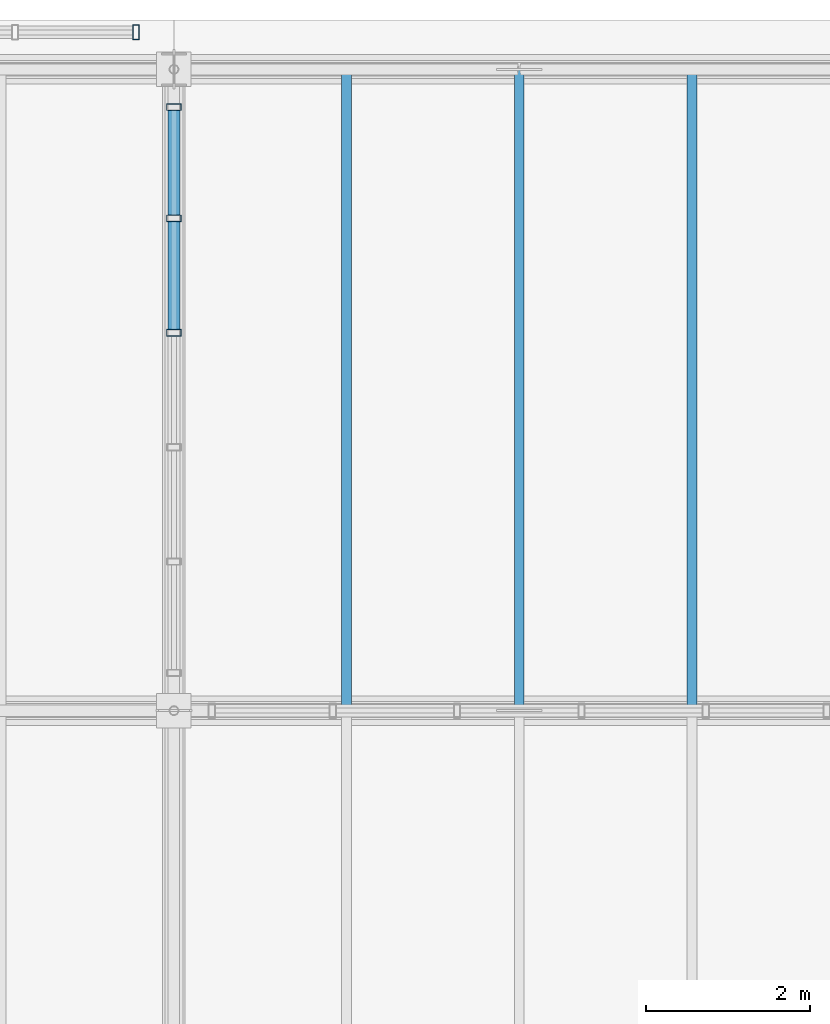
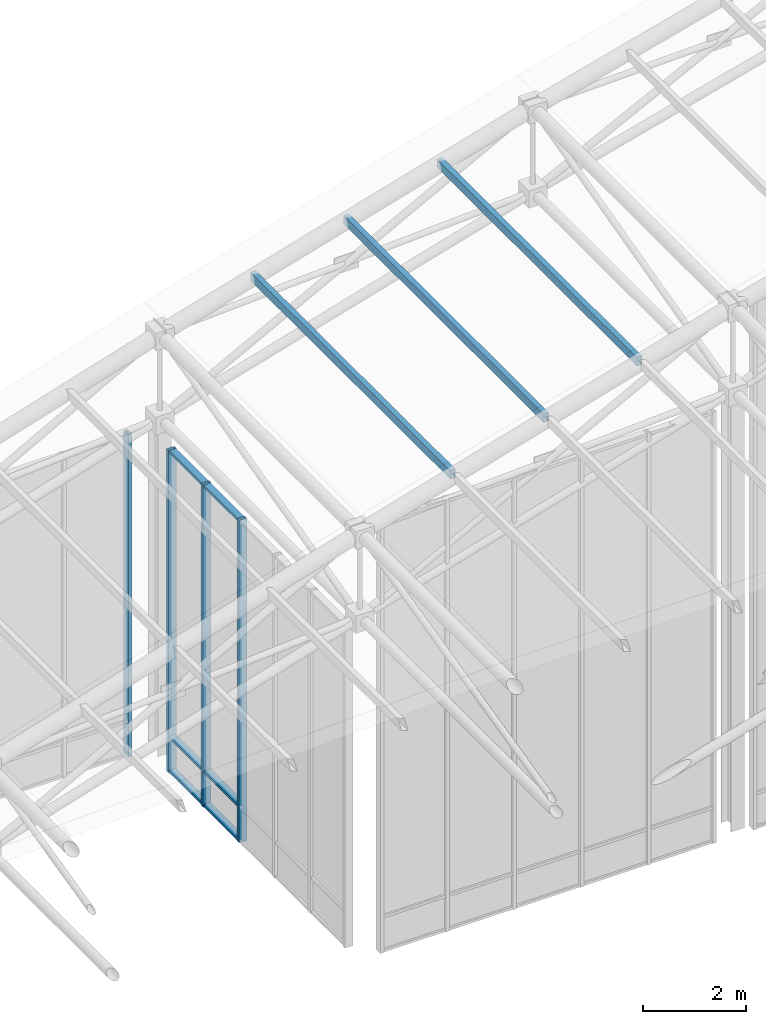
# One storey, part 69 of 144: 13 members, 2 elements without a shape of their own.
"""IFC4 building model written with IfcOpenShell, lengths in metres."""

from ifc_helpers import new_model, si_unit, direction, frame, origin, origin_2d, place, context, subcontext, project, spatial, hollow_rectangle, extrude, material, layer, layer_set, material_profile, profile_set, type_object, element, aggregate, save


model = new_model("IFC4")

# Units and contexts
model_context = context("Model", 3, precision=1e-05, world=origin(), true_north=direction((0.0, 1.0)))
body_context = subcontext(model_context, "Body", "Model", "MODEL_VIEW")
ifc_project = project(units=[si_unit("LENGTHUNIT", "METRE"), si_unit("AREAUNIT", "SQUARE_METRE"), si_unit("VOLUMEUNIT", "CUBIC_METRE"), si_unit("PLANEANGLEUNIT", "RADIAN"), si_unit("MASSUNIT", "GRAM", prefix="KILO")], contexts=[model_context])

# Site, building, storey
site_placement = place(None, origin())
site = spatial("IfcSite", under=ifc_project, at=site_placement, CompositionType="ELEMENT")
building_placement = place(site_placement, origin())
building = spatial("IfcBuilding", under=site, at=building_placement, Name="Zayran Congress Hotel", CompositionType="ELEMENT")
storey_placement = place(building_placement, frame((0.0, 0.0, 19.199951171875)))
storey = spatial("IfcBuildingStorey", under=building, at=storey_placement, Name="L04", CompositionType="ELEMENT", Elevation=19.199951171875)

# Members
ifc_material_1 = material(Name="Steel S355", Category="steel")
ifc_material_profile_1 = material_profile(ifc_material_1, hollow_rectangle(XDim=0.1201171875, YDim=0.199951171875, WallThickness=0.008056640625, at=origin_2d()), Name="RHS 200x120x8")
ifc_profile_set_1 = profile_set([ifc_material_profile_1], Name="Steel S355")
member_type_1 = type_object("IfcMemberType", Name="TP-PR-01", PredefinedType="PURLIN", material=ifc_profile_set_1)
for number, where, z_axis, x_axis, name in (
    (1, (35.699951171875, 109.60009765625, 10.556640625), (0.0, 1.0, 0.0), (-1.0, 0.0, 0.0), "MEM-PR-V1-0060"),
    (2, (37.800048828125, 109.60009765625, 11.1689453125), (0.0, 1.0, 0.0), (-1.0, 0.0, 0.0), "MEM-PR-V1-0066"),
    (3, (39.89990234375, 109.60009765625, 11.781494140625), (0.0, 1.0, 0.0), (-1.0, 0.0, 0.0), "MEM-PR-V1-0072"),
):
    element("IfcMember", number, at=place(storey_placement, frame(where, z_axis=z_axis, x_axis=x_axis)), inside=storey, type_object=member_type_1, Name=name, PredefinedType="PURLIN", context=body_context, shape_type="SweptSolid", body=[
        extrude(hollow_rectangle(XDim=0.1201171875, YDim=0.199951171875, WallThickness=0.008056640625, at=origin_2d()), origin(), (0.0, 0.0, 1.0), 7.7998046875),
    ])

# Curtain wall, member
ifc_material_2 = material(Name="Anodised aluminium and low-E insulated glass", Category="aluminium")
ifc_layer_1 = layer(ifc_material_2, 0.179931640625)
ifc_layer_set_1 = layer_set([ifc_layer_1], Name="Anodised aluminium and low-E insulated glass")
curtain_wall_type_1 = type_object("IfcCurtainWallType", Name="CW-V1CL-L04-CW-23-7560-7670", PredefinedType="USERDEFINED", material=ifc_layer_set_1)
curtain_wall_1_placement = place(storey_placement, origin())
curtain_wall_1 = element("IfcCurtainWall", 4, at=curtain_wall_1_placement, inside=storey, type_object=curtain_wall_type_1, Name="CW-V1CLN-2", ObjectType="CURTAIN WALL", PredefinedType="USERDEFINED")
ifc_material_3 = material(Name="Anodised aluminium framing", Category="aluminium")
ifc_material_profile_2 = material_profile(ifc_material_3, hollow_rectangle(XDim=0.080078125, YDim=0.179931640625, WallThickness=0.0048828125, at=origin_2d()), Name="RHS 180x80x5")
ifc_profile_set_2 = profile_set([ifc_material_profile_2], Name="Anodised aluminium framing")
member_type_2 = type_object("IfcMemberType", Name="TP-CWM-01", PredefinedType="MULLION", material=ifc_profile_set_2)
member_1_placement = place(storey_placement, frame((33.139892578125, 117.85009765625, -0.219970703125), z_axis=(0.0, 0.0, 1.0), x_axis=(1.0, 0.0, 0.0)))
member_1 = element("IfcMember", 5, at=member_1_placement, type_object=member_type_2, Name="CW-V1CLN-2-M00", PredefinedType="MULLION", context=body_context, shape_type="SweptSolid", body=[
    extrude(hollow_rectangle(XDim=0.080078125, YDim=0.179931640625, WallThickness=0.0048828125, at=origin_2d()), origin(), (0.0, 0.0, 1.0), 7.669921875),
])
aggregate(curtain_wall_1, [member_1])

# Curtain wall, members
ifc_layer_2 = layer(ifc_material_2, 0.179931640625)
ifc_layer_set_2 = layer_set([ifc_layer_2], Name="Anodised aluminium and low-E insulated glass")
curtain_wall_type_2 = type_object("IfcCurtainWallType", Name="CW-V1CL-L04-CW-24-6960-7670", PredefinedType="USERDEFINED", material=ifc_layer_set_2)
curtain_wall_2_placement = place(storey_placement, origin())
curtain_wall_2 = element("IfcCurtainWall", 6, at=curtain_wall_2_placement, inside=storey, type_object=curtain_wall_type_2, Name="CW-V1CLNW", ObjectType="CURTAIN WALL", PredefinedType="USERDEFINED")
member_2_placement = place(storey_placement, frame((33.60009765625, 114.196044921875, -0.219970703125), z_axis=(0.0, 0.0, 1.0), x_axis=(0.0, 1.0, 0.0)))
member_2 = element("IfcMember", 7, at=member_2_placement, type_object=member_type_2, Name="CW-V1CLNW-M03", PredefinedType="MULLION", context=body_context, shape_type="SweptSolid", body=[
    extrude(hollow_rectangle(XDim=0.080078125, YDim=0.179931640625, WallThickness=0.0048828125, at=origin_2d()), origin(), (0.0, 0.0, 1.0), 7.669921875),
])
member_3_placement = place(storey_placement, frame((33.60009765625, 115.587890625, -0.219970703125), z_axis=(0.0, 0.0, 1.0), x_axis=(0.0, 1.0, 0.0)))
member_3 = element("IfcMember", 8, at=member_3_placement, type_object=member_type_2, Name="CW-V1CLNW-M04", PredefinedType="MULLION", context=body_context, shape_type="SweptSolid", body=[
    extrude(hollow_rectangle(XDim=0.080078125, YDim=0.179931640625, WallThickness=0.0048828125, at=origin_2d()), origin(), (0.0, 0.0, 1.0), 7.669921875),
])
member_4_placement = place(storey_placement, frame((33.60009765625, 116.93994140625, -0.219970703125), z_axis=(0.0, 0.0, 1.0), x_axis=(0.0, 1.0, 0.0)))
member_4 = element("IfcMember", 9, at=member_4_placement, type_object=member_type_2, Name="CW-V1CLNW-M05", PredefinedType="MULLION", context=body_context, shape_type="SweptSolid", body=[
    extrude(hollow_rectangle(XDim=0.080078125, YDim=0.179931640625, WallThickness=0.0048828125, at=origin_2d()), origin(), (0.0, 0.0, 1.0), 7.669921875),
])
ifc_material_profile_3 = material_profile(ifc_material_3, hollow_rectangle(XDim=0.06005859375, YDim=0.14990234375, WallThickness=0.00390625, at=origin_2d()), Name="RHS 150x60x4")
ifc_profile_set_3 = profile_set([ifc_material_profile_3], Name="Anodised aluminium framing")
member_type_3 = type_object("IfcMemberType", Name="TP-CWT-01", PredefinedType="USERDEFINED", material=ifc_profile_set_3)
member_5_placement = place(storey_placement, frame((33.60009765625, 114.236083984375, -0.18994140625), z_axis=(0.0, 1.0, 0.0), x_axis=(0.0, 0.0, 1.0)))
member_5 = element("IfcMember", 10, at=member_5_placement, type_object=member_type_3, Name="CW-V1CLNW-T03-0", ObjectType="TRANSOM", PredefinedType="USERDEFINED", context=body_context, shape_type="SweptSolid", body=[
    extrude(hollow_rectangle(XDim=0.06005859375, YDim=0.14990234375, WallThickness=0.00390625, at=origin_2d()), origin(), (0.0, 0.0, 1.0), 1.31201171875),
])
member_6_placement = place(storey_placement, frame((33.60009765625, 114.236083984375, 0.6201171875), z_axis=(0.0, 1.0, 0.0), x_axis=(0.0, 0.0, 1.0)))
member_6 = element("IfcMember", 11, at=member_6_placement, type_object=member_type_3, Name="CW-V1CLNW-T03-1", ObjectType="TRANSOM", PredefinedType="USERDEFINED", context=body_context, shape_type="SweptSolid", body=[
    extrude(hollow_rectangle(XDim=0.06005859375, YDim=0.14990234375, WallThickness=0.00390625, at=origin_2d()), origin(), (0.0, 0.0, 1.0), 1.31201171875),
])
member_7_placement = place(storey_placement, frame((33.60009765625, 114.236083984375, 7.420166015625), z_axis=(0.0, 1.0, 0.0), x_axis=(0.0, 0.0, 1.0)))
member_7 = element("IfcMember", 12, at=member_7_placement, type_object=member_type_3, Name="CW-V1CLNW-T03-2", ObjectType="TRANSOM", PredefinedType="USERDEFINED", context=body_context, shape_type="SweptSolid", body=[
    extrude(hollow_rectangle(XDim=0.06005859375, YDim=0.14990234375, WallThickness=0.00390625, at=origin_2d()), origin(), (0.0, 0.0, 1.0), 1.31201171875),
])
member_8_placement = place(storey_placement, frame((33.60009765625, 115.6279296875, -0.18994140625), z_axis=(0.0, 1.0, 0.0), x_axis=(0.0, 0.0, 1.0)))
member_8 = element("IfcMember", 13, at=member_8_placement, type_object=member_type_3, Name="CW-V1CLNW-T04-0", ObjectType="TRANSOM", PredefinedType="USERDEFINED", context=body_context, shape_type="SweptSolid", body=[
    extrude(hollow_rectangle(XDim=0.06005859375, YDim=0.14990234375, WallThickness=0.00390625, at=origin_2d()), origin(), (0.0, 0.0, 1.0), 1.27197265625),
])
member_9_placement = place(storey_placement, frame((33.60009765625, 115.6279296875, 0.6201171875), z_axis=(0.0, 1.0, 0.0), x_axis=(0.0, 0.0, 1.0)))
member_9 = element("IfcMember", 14, at=member_9_placement, type_object=member_type_3, Name="CW-V1CLNW-T04-1", ObjectType="TRANSOM", PredefinedType="USERDEFINED", context=body_context, shape_type="SweptSolid", body=[
    extrude(hollow_rectangle(XDim=0.06005859375, YDim=0.14990234375, WallThickness=0.00390625, at=origin_2d()), origin(), (0.0, 0.0, 1.0), 1.27197265625),
])
member_10_placement = place(storey_placement, frame((33.60009765625, 115.6279296875, 7.420166015625), z_axis=(0.0, 1.0, 0.0), x_axis=(0.0, 0.0, 1.0)))
member_10 = element("IfcMember", 15, at=member_10_placement, type_object=member_type_3, Name="CW-V1CLNW-T04-2", ObjectType="TRANSOM", PredefinedType="USERDEFINED", context=body_context, shape_type="SweptSolid", body=[
    extrude(hollow_rectangle(XDim=0.06005859375, YDim=0.14990234375, WallThickness=0.00390625, at=origin_2d()), origin(), (0.0, 0.0, 1.0), 1.27197265625),
])
aggregate(curtain_wall_2, [member_2, member_3, member_4, member_5, member_6, member_7, member_8, member_9, member_10])

save(model, "model.ifc")
